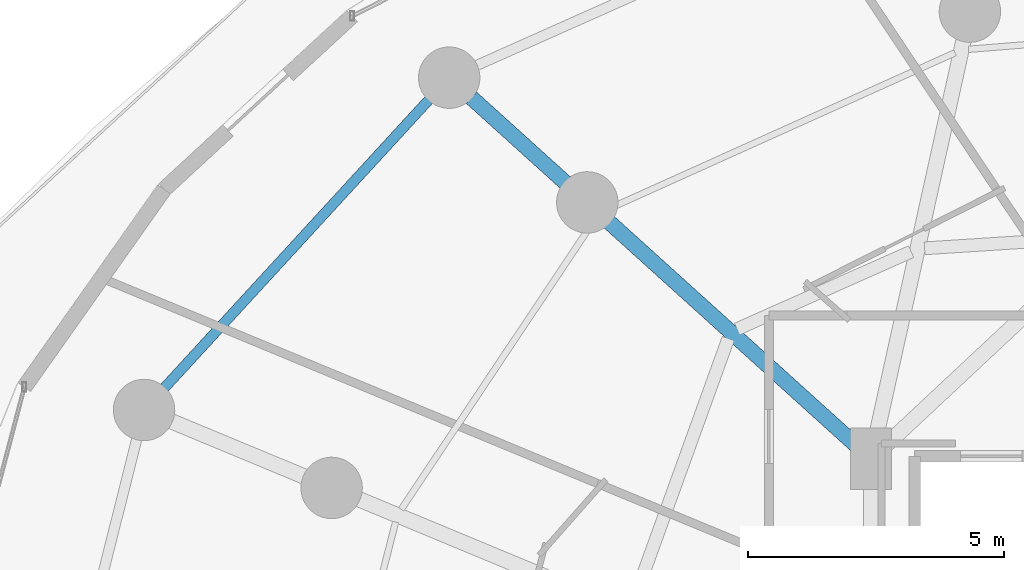
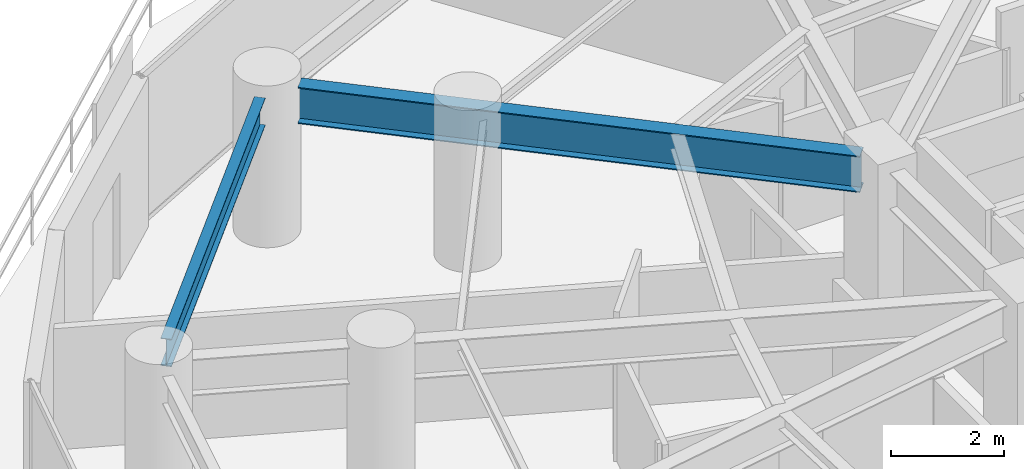
# One storey, part 19 of 35: 2 beams.
"""IFC4 building model written with IfcOpenShell, lengths in metres."""

import ifcopenshell
import ifcopenshell.guid

model = None  # the IFC model being written
_history = None  # IfcOwnerHistory: only IFC2X3 demands one
_inside = {}  # id of a spatial element -> (the spatial element, [elements in it])
_under = {}  # id of a project, library or spatial element -> (it, [spatial elements below it])
_declared = {}  # id of a project -> (the project, [libraries it declares])
_typed = {}  # id of a type object -> (the type object, [elements of that type])
_made_of = {}  # id of a material, layer set ... -> (it, [elements and type objects made of it])


def new_model(schema):
    """Start an empty IFC model of exactly this schema.

    Asked for "IFC4X3", IfcOpenShell would pick the latest addendum, in which some entities
    have other attributes; the version numbers below select the first issue.
    IFC2X3 requires an IfcOwnerHistory on every rooted entity: one is made here for all.
    """
    global model, _history
    if schema == "IFC4X3":
        model = ifcopenshell.file(schema_version=(4, 3, 0, 0))
    else:
        model = ifcopenshell.file(schema=schema)
    _inside.clear()
    _under.clear()
    _declared.clear()
    _typed.clear()
    _made_of.clear()
    _history = None
    if model.schema == "IFC2X3":
        org = make("IfcOrganization", Name="unknown")
        user = make(
            "IfcPersonAndOrganization",
            ThePerson=make("IfcPerson", FamilyName="unknown"),
            TheOrganization=org,
        )
        app = make(
            "IfcApplication",
            ApplicationDeveloper=org,
            Version="unknown",
            ApplicationFullName="unknown",
            ApplicationIdentifier="unknown",
        )
        _history = make(
            "IfcOwnerHistory",
            OwningUser=user,
            OwningApplication=app,
            ChangeAction="ADDED",
            CreationDate=0,
        )
    return model


def make(cls, **values):
    """One entity of the class cls with the attributes given. An attribute that is None is left unset."""
    return model.create_entity(
        cls, **{name: value for name, value in values.items() if value is not None}
    )


def rooted(cls, **values):
    """An entity with a GlobalId (a new one), such as an element, a storey or a relation."""
    return make(cls, GlobalId=ifcopenshell.guid.new(), OwnerHistory=_history, **values)


def si_unit(unit_type, name, prefix=None):
    """IfcSIUnit, for example si_unit("LENGTHUNIT", "METRE", prefix="MILLI")."""
    return make("IfcSIUnit", UnitType=unit_type, Prefix=prefix, Name=name)


def assignment(units):
    """IfcUnitAssignment: the units of a project."""
    return None if units is None else make("IfcUnitAssignment", Units=units)


def point(xyz):
    """IfcCartesianPoint."""
    return None if xyz is None else make("IfcCartesianPoint", Coordinates=xyz)


def direction(xyz):
    """IfcDirection."""
    return None if xyz is None else make("IfcDirection", DirectionRatios=xyz)


def frame(location, z_axis=None, x_axis=None):
    """IfcAxis2Placement3D, a coordinate frame: its origin and axes. An axis left out is left unset."""
    return make(
        "IfcAxis2Placement3D",
        Location=point(location),
        Axis=direction(z_axis),
        RefDirection=direction(x_axis),
    )


def frame_2d(location, x_axis=None):
    """IfcAxis2Placement2D, a coordinate frame in the plane: its origin and x axis."""
    return make(
        "IfcAxis2Placement2D", Location=point(location), RefDirection=direction(x_axis)
    )


def origin():
    """The frame at (0, 0, 0) with its axes left unset."""
    return frame((0.0, 0.0, 0.0))


def origin_2d():
    """The frame at (0, 0) in the plane with its x axis left unset."""
    return frame_2d((0.0, 0.0))


def place(relative_to, where):
    """IfcLocalPlacement: puts the frame where relative to a parent placement (None: the world)."""
    return make(
        "IfcLocalPlacement", PlacementRelTo=relative_to, RelativePlacement=where
    )


def context(
    kind, dimensions, precision=None, world=None, true_north=None, identifier=None
):
    """IfcGeometricRepresentationContext, for example the 3D "Model" context."""
    return make(
        "IfcGeometricRepresentationContext",
        ContextIdentifier=identifier,
        ContextType=kind,
        CoordinateSpaceDimension=dimensions,
        Precision=precision,
        WorldCoordinateSystem=world,
        TrueNorth=true_north,
    )


def subcontext(parent, identifier, kind, view, scale=None):
    """IfcGeometricRepresentationSubContext, for example "Body" below "Model"."""
    return make(
        "IfcGeometricRepresentationSubContext",
        ContextIdentifier=identifier,
        ContextType=kind,
        ParentContext=parent,
        TargetScale=scale,
        TargetView=view,
    )


def project(units=None, contexts=None):
    """IfcProject with its units and contexts."""
    return rooted(
        "IfcProject",
        Name="project",
        RepresentationContexts=contexts,
        UnitsInContext=assignment(units),
    )


def spatial(cls, under=None, at=None, **own):
    """A site, building, storey or space (cls), placed at a placement, below another one or the project."""
    s = rooted(cls, ObjectPlacement=at, **own)
    if under is not None:
        _under.setdefault(under.id(), (under, []))[1].append(s)
    return s


def profile(cls, at=None, kind="AREA", **sizes):
    """A parametric profile (cls). Its sizes go by their IFC names, for example OverallWidth=200.0."""
    return make(cls, ProfileType=kind, Position=at, **sizes)


def i_section(**sizes):
    """IfcIShapeProfileDef."""
    return profile("IfcIShapeProfileDef", **sizes)


def extrude(swept, where, along, depth):
    """IfcExtrudedAreaSolid: the profile swept, set in the frame where, extruded along a direction by depth."""
    return make(
        "IfcExtrudedAreaSolid",
        SweptArea=swept,
        Position=where,
        ExtrudedDirection=direction(along),
        Depth=depth,
    )


def shape(context_of_items, identifier, shape_type, items):
    """IfcShapeRepresentation: the items that make up one representation, for example the "Body"."""
    return make(
        "IfcShapeRepresentation",
        ContextOfItems=context_of_items,
        RepresentationIdentifier=identifier,
        RepresentationType=shape_type,
        Items=items,
    )


def material(Name=None, Category=None):
    """IfcMaterial."""
    return make("IfcMaterial", Name=Name, Category=Category)


def material_profile(
    of_material, cross_section, Name=None, Category=None, Priority=None
):
    """IfcMaterialProfile: a cross section and its material."""
    return make(
        "IfcMaterialProfile",
        Name=Name,
        Material=of_material,
        Profile=cross_section,
        Priority=Priority,
        Category=Category,
    )


def profile_set(profiles, Name=None, composite=None):
    """IfcMaterialProfileSet."""
    return make(
        "IfcMaterialProfileSet",
        Name=Name,
        MaterialProfiles=profiles,
        CompositeProfile=composite,
    )


def made_of(thing, what):
    """Note that an element or type object is made of a material, layer set ...; save() writes the relation."""
    if what is not None:
        _made_of.setdefault(what.id(), (what, []))[1].append(thing)
    return thing


def type_object(cls, material=None, **own):
    """A type object (cls), such as IfcWallType, which elements share."""
    return made_of(rooted(cls, **own), material)


def element(
    cls,
    number,
    at=None,
    inside=None,
    cuts=None,
    type_object=None,
    material=None,
    context=None,
    identifier="Body",
    shape_type=None,
    held_by="IfcProductDefinitionShape",
    body=None,
    shapes=None,
    **own,
):
    """One element of the class cls, such as IfcWall. Its Tag is "e" and its number.

    at: its placement. inside: the storey or other place that contains it. cuts: it is an
    opening in that element (IfcRelVoidsElement). A single representation is given by context,
    identifier, shape_type and body (its items); several are given by shapes. held_by: the class
    of the entity that holds the representations. save() writes the other relations.
    """
    e = rooted(cls, Tag="e%d" % number, ObjectPlacement=at, **own)
    if body is not None:
        shapes = [shape(context, identifier, shape_type, body)]
    if shapes is not None:
        e.Representation = make(held_by, Representations=shapes)
    if inside is not None:
        _inside.setdefault(inside.id(), (inside, []))[1].append(e)
    if cuts is not None:
        rooted(
            "IfcRelVoidsElement", RelatingBuildingElement=cuts, RelatedOpeningElement=e
        )
    if type_object is not None:
        _typed.setdefault(type_object.id(), (type_object, []))[1].append(e)
    return made_of(e, material)


def aggregate(whole, parts):
    """IfcRelAggregates: a whole, such as a stair, and the parts it consists of."""
    return rooted("IfcRelAggregates", RelatingObject=whole, RelatedObjects=parts)


def save(model, path):
    """Write the relations noted so far, then the file.

    IfcRelAggregates (storeys below a building ...), IfcRelContainedInSpatialStructure (elements
    in a storey), IfcRelDefinesByType, IfcRelAssociatesMaterial and IfcRelDeclares: one each for
    every whole, place, type object, material and project.
    """
    for whole, parts in _under.values():
        aggregate(whole, parts)
    for where, things in _inside.values():
        rooted(
            "IfcRelContainedInSpatialStructure",
            RelatedElements=things,
            RelatingStructure=where,
        )
    for kind, things in _typed.values():
        rooted("IfcRelDefinesByType", RelatedObjects=things, RelatingType=kind)
    for what, things in _made_of.values():
        rooted("IfcRelAssociatesMaterial", RelatedObjects=things, RelatingMaterial=what)
    for by, libraries in _declared.values():
        rooted("IfcRelDeclares", RelatingContext=by, RelatedDefinitions=libraries)
    model.write(path)


model = new_model("IFC4")

# Units and contexts
model_context = context("Model", 3, precision=1e-05, world=origin(), true_north=direction((0.0, 1.0)))
body_context = subcontext(model_context, "Body", "Model", "MODEL_VIEW")
ifc_project = project(units=[si_unit("LENGTHUNIT", "METRE"), si_unit("AREAUNIT", "SQUARE_METRE"), si_unit("VOLUMEUNIT", "CUBIC_METRE"), si_unit("PLANEANGLEUNIT", "RADIAN"), si_unit("MASSUNIT", "GRAM", prefix="KILO")], contexts=[model_context])

# Site, building, storey
site_placement = place(None, origin())
site = spatial("IfcSite", under=ifc_project, at=site_placement, CompositionType="ELEMENT")
building_placement = place(site_placement, origin())
building = spatial("IfcBuilding", under=site, at=building_placement, Name="Vorneva Point Tower", CompositionType="ELEMENT")
storey_placement = place(building_placement, frame((0.0, 0.0, 52.0)))
storey = spatial("IfcBuildingStorey", under=building, at=storey_placement, Name="L13", CompositionType="ELEMENT", Elevation=52.0)

# Beams
ifc_material = material(Name="Steel S355", Category="steel")
ifc_material_profile_1 = material_profile(ifc_material, i_section(OverallWidth=0.300048828125, OverallDepth=0.7880859375, WebThickness=0.014404296875, FlangeThickness=0.02197265625, at=origin_2d()), Name="80Sh1")
ifc_profile_set_1 = profile_set([ifc_material_profile_1], Name="Steel S355")
beam_type_1 = type_object("IfcBeamType", Name="BM-GRD-80Sh1", PredefinedType="USERDEFINED", material=ifc_profile_set_1)
beam_1_placement = place(storey_placement, frame((19.43896484375, 40.205810546875, 2.845947265625), z_axis=(0.742076105577, -0.670315637243, 0.0), x_axis=(0.670315637243, 0.742076105577, 0.0)))
element("IfcBeam", 1, at=beam_1_placement, inside=storey, type_object=beam_type_1, Name="L13 Radial Primary Girder 07", ObjectType="GIRDER", PredefinedType="USERDEFINED", context=body_context, shape_type="SweptSolid", body=[
    extrude(i_section(OverallWidth=0.300048828125, OverallDepth=0.7880859375, WebThickness=0.014404296875, FlangeThickness=0.02197265625, at=origin_2d()), origin(), (0.0, 0.0, 1.0), 10.18603515625),
])
ifc_material_profile_2 = material_profile(ifc_material, i_section(OverallWidth=0.198974609375, OverallDepth=0.595947265625, WebThickness=0.010009765625, FlangeThickness=0.014892578125, at=origin_2d()), Name="60B1")
ifc_profile_set_2 = profile_set([ifc_material_profile_2], Name="Steel S355")
beam_type_2 = type_object("IfcBeamType", Name="BM-SPN-60B1", PredefinedType="SPANDREL", material=ifc_profile_set_2)
beam_2_placement = place(storey_placement, frame((18.60693359375, 40.1689453125, 2.94189453125), z_axis=(-0.676359049176, -0.736572085133, 0.0), x_axis=(0.736572085133, -0.676359049176, 0.0)))
element("IfcBeam", 2, at=beam_2_placement, inside=storey, type_object=beam_type_2, Name="L13 Perimeter Spandrel Ring Beam 07", PredefinedType="SPANDREL", context=body_context, shape_type="SweptSolid", body=[
    extrude(i_section(OverallWidth=0.198974609375, OverallDepth=0.595947265625, WebThickness=0.010009765625, FlangeThickness=0.014892578125, at=origin_2d()), origin(), (0.0, 0.0, 1.0), 7.64697265625),
])

save(model, "model.ifc")
